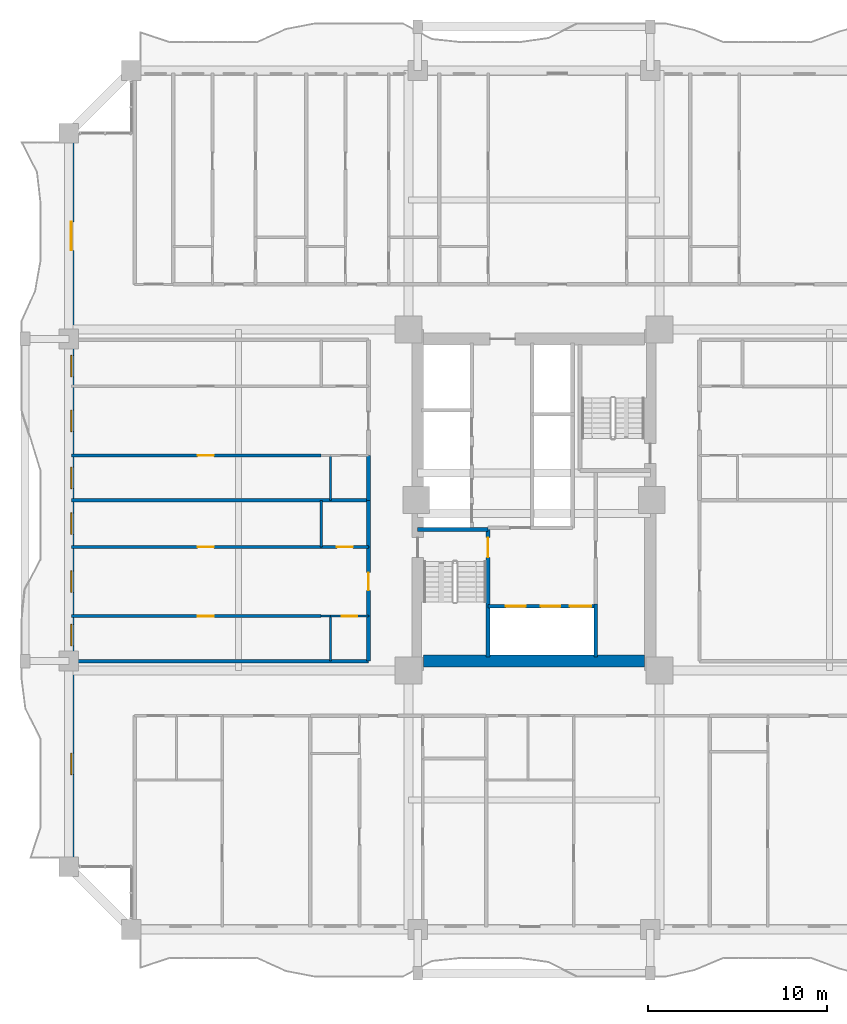
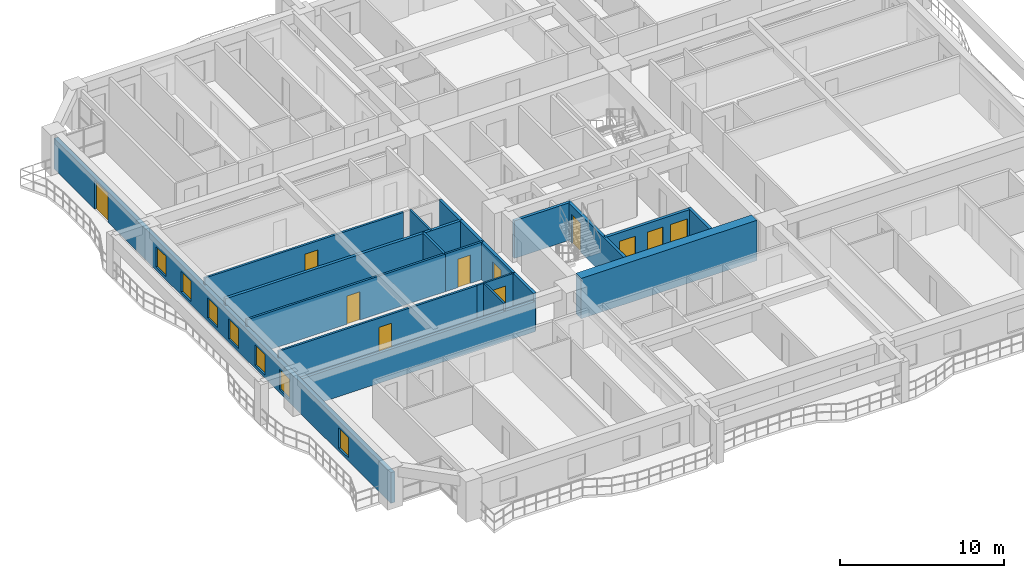
# One storey, part 15 of 27: 21 walls, 11 doors, 7 windows, 18 openings.
"""IFC4 building model written with IfcOpenShell, lengths in metres."""

from ifc_helpers import new_model, si_unit, direction, frame, frame_2d, origin, place, context, subcontext, project, spatial, rectangle, extrude, source, transform, mapped, material, layer, layer_set, type_object, element, fill, save


model = new_model("IFC4")

# Units and contexts
model_context = context("Model", 3, precision=1e-05, world=origin(), true_north=direction((0.0, 1.0)))
body_context = subcontext(model_context, "Body", "Model", "MODEL_VIEW")
ifc_project = project(units=[si_unit("LENGTHUNIT", "METRE"), si_unit("AREAUNIT", "SQUARE_METRE"), si_unit("VOLUMEUNIT", "CUBIC_METRE"), si_unit("PLANEANGLEUNIT", "RADIAN"), si_unit("MASSUNIT", "GRAM", prefix="KILO")], contexts=[model_context])

# Site, building, storey
site_placement = place(None, origin())
site = spatial("IfcSite", under=ifc_project, at=site_placement, CompositionType="ELEMENT")
building_placement = place(site_placement, origin())
building = spatial("IfcBuilding", under=site, at=building_placement, Name="Saelheon Loggia Tower", CompositionType="ELEMENT")
storey_placement = place(building_placement, frame((0.0, 0.0, 52.39990234375)))
storey = spatial("IfcBuildingStorey", under=building, at=storey_placement, Name="L16", CompositionType="ELEMENT", Elevation=52.39990234375)

# Wall
ifc_material_1 = material(Name="Concrete C60/75", Category="concrete")
ifc_layer_1 = layer(ifc_material_1, 0.64990234375)
ifc_layer_set_1 = layer_set([ifc_layer_1], Name="Concrete C60/75")
wall_type_1 = type_object("IfcWallType", Name="Wall_CoreShear_650", PredefinedType="SHEAR", material=ifc_layer_set_1)
wall_1_placement = place(storey_placement, frame((31.824951171875, 18.0, 0.0), z_axis=(0.0, 0.0, 1.0), x_axis=(1.0, 0.0, 0.0)))
element("IfcWall", 1, at=wall_1_placement, inside=storey, type_object=wall_type_1, Name="L16 Core Shear Wall South", PredefinedType="SHEAR", context=body_context, shape_type="SweptSolid", body=[
    extrude(rectangle(XDim=12.35009765625, YDim=0.64990234375, at=frame_2d((6.175048828125, 0.0))), origin(), (0.0, 0.0, 1.0), 3.0),
])

# Wall, openings, windows, door
ifc_material_2 = material(Name="Architectural Precast Concrete C40/50", Category="concrete")
ifc_layer_2 = layer(ifc_material_2, 0.280029296875)
ifc_layer_set_2 = layer_set([ifc_layer_2], Name="Architectural Precast Concrete C40/50")
wall_type_2 = type_object("IfcWallType", Name="Wall_Ext_Loggia_280", PredefinedType="SOLIDWALL", material=ifc_layer_set_2)
wall_2_placement = place(storey_placement, frame((12.139892578125, 6.5, 0.0), z_axis=(0.0, 0.0, 1.0), x_axis=(0.0, 1.0, 0.0)))
wall_2 = element("IfcWall", 2, at=wall_2_placement, inside=storey, type_object=wall_type_2, Name="L16 West Loggia Inner Wall", PredefinedType="SOLIDWALL", context=body_context, shape_type="SweptSolid", body=[
    extrude(rectangle(XDim=41.0, YDim=0.280029296875, at=frame_2d((20.5, 0.0))), origin(), (0.0, 0.0, 1.0), 2.280029296875),
])
opening_1_placement = place(wall_2_placement, frame((5.14990234375, 0.0, 0.25)))
opening_1 = element("IfcOpeningElement", 3, at=opening_1_placement, cuts=wall_2, Name="Opening WN-03", PredefinedType="OPENING", context=body_context, shape_type="SweptSolid", body=[
    extrude(rectangle(XDim=1.199951171875, YDim=1.5, at=frame_2d((0.60009765625, 0.75))), frame((0.0, 0.152099609375, 0.0), z_axis=(0.0, -1.0, 0.0), x_axis=(1.0, 0.0, 0.0)), (0.0, 0.0, 1.0), 0.303955078125),
])
opening_2_placement = place(wall_2_placement, frame((12.3515625, 0.0, 0.25)))
opening_2 = element("IfcOpeningElement", 4, at=opening_2_placement, cuts=wall_2, Name="Opening WN-03", PredefinedType="OPENING", context=body_context, shape_type="SweptSolid", body=[
    extrude(rectangle(XDim=1.199951171875, YDim=1.5, at=frame_2d((0.60009765625, 0.75))), frame((0.0, 0.152099609375, 0.0), z_axis=(0.0, -1.0, 0.0), x_axis=(1.0, 0.0, 0.0)), (0.0, 0.0, 1.0), 0.303955078125),
])
opening_3_placement = place(wall_2_placement, frame((15.343994140625, 0.0, 0.25)))
opening_3 = element("IfcOpeningElement", 5, at=opening_3_placement, cuts=wall_2, Name="Opening WN-03", PredefinedType="OPENING", context=body_context, shape_type="SweptSolid", body=[
    extrude(rectangle(XDim=1.199951171875, YDim=1.5, at=frame_2d((0.60009765625, 0.75))), frame((0.0, 0.152099609375, 0.0), z_axis=(0.0, -1.0, 0.0), x_axis=(1.0, 0.0, 0.0)), (0.0, 0.0, 1.0), 0.303955078125),
])
opening_4_placement = place(wall_2_placement, frame((18.574951171875, 0.0, 0.25)))
opening_4 = element("IfcOpeningElement", 6, at=opening_4_placement, cuts=wall_2, Name="Opening WN-03", PredefinedType="OPENING", context=body_context, shape_type="SweptSolid", body=[
    extrude(rectangle(XDim=1.199951171875, YDim=1.5, at=frame_2d((0.60009765625, 0.75))), frame((0.0, 0.152099609375, 0.0), z_axis=(0.0, -1.0, 0.0), x_axis=(1.0, 0.0, 0.0)), (0.0, 0.0, 1.0), 0.303955078125),
])
opening_5_placement = place(wall_2_placement, frame((21.131591796875, 0.0, 0.25)))
opening_5 = element("IfcOpeningElement", 7, at=opening_5_placement, cuts=wall_2, Name="Opening WN-03", PredefinedType="OPENING", context=body_context, shape_type="SweptSolid", body=[
    extrude(rectangle(XDim=1.199951171875, YDim=1.5, at=frame_2d((0.60009765625, 0.75))), frame((0.0, 0.152099609375, 0.0), z_axis=(0.0, -1.0, 0.0), x_axis=(1.0, 0.0, 0.0)), (0.0, 0.0, 1.0), 0.303955078125),
])
opening_6_placement = place(wall_2_placement, frame((24.319091796875, 0.0, 0.25)))
opening_6 = element("IfcOpeningElement", 8, at=opening_6_placement, cuts=wall_2, Name="Opening WN-03", PredefinedType="OPENING", context=body_context, shape_type="SweptSolid", body=[
    extrude(rectangle(XDim=1.199951171875, YDim=1.5, at=frame_2d((0.60009765625, 0.75))), frame((0.0, 0.152099609375, 0.0), z_axis=(0.0, -1.0, 0.0), x_axis=(1.0, 0.0, 0.0)), (0.0, 0.0, 1.0), 0.303955078125),
])
opening_7_placement = place(wall_2_placement, frame((27.3798828125, 0.0, 0.25)))
opening_7 = element("IfcOpeningElement", 9, at=opening_7_placement, cuts=wall_2, Name="Opening WN-03", PredefinedType="OPENING", context=body_context, shape_type="SweptSolid", body=[
    extrude(rectangle(XDim=1.199951171875, YDim=1.5, at=frame_2d((0.60009765625, 0.75))), frame((0.0, 0.152099609375, 0.0), z_axis=(0.0, -1.0, 0.0), x_axis=(1.0, 0.0, 0.0)), (0.0, 0.0, 1.0), 0.303955078125),
])
opening_8_placement = place(wall_2_placement, frame((34.449951171875, 0.0, 0.0)))
opening_8 = element("IfcOpeningElement", 10, at=opening_8_placement, cuts=wall_2, Name="Opening DLG-1", PredefinedType="OPENING", context=body_context, shape_type="SweptSolid", body=[
    extrude(rectangle(XDim=1.60009765625, YDim=2.14990234375, at=frame_2d((0.800048828125, 1.074951171875))), frame((0.0, 0.152099609375, 0.0), z_axis=(0.0, -1.0, 0.0), x_axis=(1.0, 0.0, 0.0)), (0.0, 0.0, 1.0), 0.303955078125),
])
ifc_material_3 = material(Name="Thermal-Break Aluminium and Triple Low-E Glass", Category="aluminium")
window_type = type_object("IfcWindowType", Name="Win_Bedroom_1200x1500", PartitioningType="SINGLE_PANEL", PredefinedType="WINDOW", material=ifc_material_3)
shared_shape_1 = source(origin(), body_context, "Body", "SweptSolid", [
    extrude(rectangle(XDim=1.199951171875, YDim=1.5, at=frame_2d((0.60009765625, 0.75))), frame((0.0, 0.030029296875, 0.0), z_axis=(0.0, -1.0, 0.0), x_axis=(1.0, 0.0, 0.0)), (0.0, 0.0, 1.0), 0.06005859375),
])
window_1_placement = place(opening_1_placement, origin())
window_1 = element("IfcWindow", 11, at=window_1_placement, inside=storey, type_object=window_type, Name="L16 W Dwelling Window 1", OverallHeight=1.5, OverallWidth=1.199951171875, PartitioningType="SINGLE_PANEL", PredefinedType="WINDOW", context=body_context, shape_type="MappedRepresentation", body=[
    mapped(shared_shape_1, transform((0.0, 0.0, 0.0), scale=1.0)),
])
fill(opening_1, window_1)
window_2_placement = place(opening_2_placement, origin())
window_2 = element("IfcWindow", 12, at=window_2_placement, inside=storey, type_object=window_type, Name="L16 W Dwelling Window 2", OverallHeight=1.5, OverallWidth=1.199951171875, PartitioningType="SINGLE_PANEL", PredefinedType="WINDOW", context=body_context, shape_type="MappedRepresentation", body=[
    mapped(shared_shape_1, transform((0.0, 0.0, 0.0), scale=1.0)),
])
fill(opening_2, window_2)
window_3_placement = place(opening_3_placement, origin())
window_3 = element("IfcWindow", 13, at=window_3_placement, inside=storey, type_object=window_type, Name="L16 W Dwelling Window 3", OverallHeight=1.5, OverallWidth=1.199951171875, PartitioningType="SINGLE_PANEL", PredefinedType="WINDOW", context=body_context, shape_type="MappedRepresentation", body=[
    mapped(shared_shape_1, transform((0.0, 0.0, 0.0), scale=1.0)),
])
fill(opening_3, window_3)
window_4_placement = place(opening_4_placement, origin())
window_4 = element("IfcWindow", 14, at=window_4_placement, inside=storey, type_object=window_type, Name="L16 W Dwelling Window 4", OverallHeight=1.5, OverallWidth=1.199951171875, PartitioningType="SINGLE_PANEL", PredefinedType="WINDOW", context=body_context, shape_type="MappedRepresentation", body=[
    mapped(shared_shape_1, transform((0.0, 0.0, 0.0), scale=1.0)),
])
fill(opening_4, window_4)
window_5_placement = place(opening_5_placement, origin())
window_5 = element("IfcWindow", 15, at=window_5_placement, inside=storey, type_object=window_type, Name="L16 W Dwelling Window 5", OverallHeight=1.5, OverallWidth=1.199951171875, PartitioningType="SINGLE_PANEL", PredefinedType="WINDOW", context=body_context, shape_type="MappedRepresentation", body=[
    mapped(shared_shape_1, transform((0.0, 0.0, 0.0), scale=1.0)),
])
fill(opening_5, window_5)
window_6_placement = place(opening_6_placement, origin())
window_6 = element("IfcWindow", 16, at=window_6_placement, inside=storey, type_object=window_type, Name="L16 W Dwelling Window 6", OverallHeight=1.5, OverallWidth=1.199951171875, PartitioningType="SINGLE_PANEL", PredefinedType="WINDOW", context=body_context, shape_type="MappedRepresentation", body=[
    mapped(shared_shape_1, transform((0.0, 0.0, 0.0), scale=1.0)),
])
fill(opening_6, window_6)
window_7_placement = place(opening_7_placement, origin())
window_7 = element("IfcWindow", 17, at=window_7_placement, inside=storey, type_object=window_type, Name="L16 W Dwelling Window 7", OverallHeight=1.5, OverallWidth=1.199951171875, PartitioningType="SINGLE_PANEL", PredefinedType="WINDOW", context=body_context, shape_type="MappedRepresentation", body=[
    mapped(shared_shape_1, transform((0.0, 0.0, 0.0), scale=1.0)),
])
fill(opening_7, window_7)
ifc_material_4 = material(Name="Thermal-Break Aluminium Sliding Glazed Door", Category="aluminium")
door_type_1 = type_object("IfcDoorType", Name="Door_LoggiaSlide_1600", OperationType="SLIDING_TO_LEFT", PredefinedType="DOOR", material=ifc_material_4)
shared_shape_2 = source(origin(), body_context, "Body", "SweptSolid", [
    extrude(rectangle(XDim=1.60009765625, YDim=2.14990234375, at=frame_2d((0.800048828125, 1.074951171875))), frame((0.0, 0.02490234375, 0.0), z_axis=(0.0, -1.0, 0.0), x_axis=(1.0, 0.0, 0.0)), (0.0, 0.0, 1.0), 0.050048828125),
])
door_1_placement = place(opening_8_placement, origin())
door_1 = element("IfcDoor", 18, at=door_1_placement, inside=storey, type_object=door_type_1, Name="L16 W Loggia Access Door", OperationType="SLIDING_TO_LEFT", OverallHeight=2.14990234375, OverallWidth=1.60009765625, PredefinedType="DOOR", context=body_context, shape_type="MappedRepresentation", body=[
    mapped(shared_shape_2, transform((0.0, 0.0, 0.0), scale=1.0)),
])
fill(opening_8, door_1)

# Wall
ifc_material_5 = material(Name="Lightweight Autoclaved Aerated Concrete Block and Acoustic Gypsum", Category="concrete")
ifc_layer_3 = layer(ifc_material_5, 0.14990234375)
ifc_layer_set_3 = layer_set([ifc_layer_3], Name="Lightweight Autoclaved Aerated Concrete Block and Acoustic Gypsum")
wall_type_3 = type_object("IfcWallType", Name="Wall_Part_150", PredefinedType="PARTITIONING", material=ifc_layer_set_3)
wall_3_placement = place(storey_placement, frame((26.110107421875, 24.375, 0.0), z_axis=(0.0, 0.0, 1.0), x_axis=(0.0, 1.0, 0.0)))
element("IfcWall", 19, at=wall_3_placement, inside=storey, type_object=wall_type_3, Name="L16 W Partition V07", PredefinedType="PARTITIONING", context=body_context, shape_type="SweptSolid", body=[
    extrude(rectangle(XDim=2.60009765625, YDim=0.14990234375, at=frame_2d((1.300048828125, 0.0))), origin(), (0.0, 0.0, 1.0), 2.7900390625),
])

# Wall, opening, door
wall_4_placement = place(storey_placement, frame((26.110107421875, 20.512939453125, 0.0), z_axis=(0.0, 0.0, 1.0), x_axis=(-1.0, 0.0, 0.0)))
wall_4 = element("IfcWall", 20, at=wall_4_placement, inside=storey, type_object=wall_type_3, Name="L16 W Partition U10", PredefinedType="PARTITIONING", context=body_context, shape_type="SweptSolid", body=[
    extrude(rectangle(XDim=13.960205078125, YDim=0.14990234375, at=frame_2d((6.97998046875, 0.0))), origin(), (0.0, 0.0, 1.0), 2.7900390625),
])
opening_9_placement = place(wall_4_placement, frame((6.005859375, 0.0, 0.0)))
opening_9 = element("IfcOpeningElement", 21, at=opening_9_placement, cuts=wall_4, Name="Opening D-IN2", PredefinedType="OPENING", context=body_context, shape_type="SweptSolid", body=[
    extrude(rectangle(XDim=0.89990234375, YDim=2.10009765625, at=frame_2d((0.449951171875, 1.050048828125))), frame((0.0, 0.0869140625, 0.0), z_axis=(0.0, -1.0, 0.0), x_axis=(1.0, 0.0, 0.0)), (0.0, 0.0, 1.0), 0.173828125),
])
ifc_material_6 = material(Name="Engineered Oak Flush Door", Category="timber")
door_type_2 = type_object("IfcDoorType", Name="Door_Int_900", OperationType="NOTDEFINED", PredefinedType="DOOR", material=ifc_material_6)
shared_shape_3 = source(origin(), body_context, "Body", "SweptSolid", [
    extrude(rectangle(XDim=0.89990234375, YDim=2.10009765625, at=frame_2d((0.449951171875, 1.050048828125))), frame((0.0, 0.02490234375, 0.0), z_axis=(0.0, -1.0, 0.0), x_axis=(1.0, 0.0, 0.0)), (0.0, 0.0, 1.0), 0.050048828125),
])
door_2_placement = place(opening_9_placement, origin())
door_2 = element("IfcDoor", 22, at=door_2_placement, inside=storey, type_object=door_type_2, Name="Unit U07 Kitchen Door", OperationType="SINGLE_SWING_RIGHT", OverallHeight=2.10009765625, OverallWidth=0.89990234375, PredefinedType="DOOR", context=body_context, shape_type="MappedRepresentation", body=[
    mapped(shared_shape_3, transform((0.0, 0.0, 0.0), scale=1.0)),
])
fill(opening_9, door_2)

wall_5_placement = place(storey_placement, frame((28.75, 24.375, 0.0), z_axis=(0.0, 0.0, 1.0), x_axis=(-1.0, 0.0, 0.0)))
wall_5 = element("IfcWall", 23, at=wall_5_placement, inside=storey, type_object=wall_type_3, Name="L16 W Partition U11", PredefinedType="PARTITIONING", context=body_context, shape_type="SweptSolid", body=[
    extrude(rectangle(XDim=2.639892578125, YDim=0.14990234375, at=frame_2d((1.31982421875, 0.0))), origin(), (0.0, 0.0, 1.0), 2.7900390625),
])
opening_10_placement = place(wall_5_placement, frame((0.8701171875, 0.0, 0.0)))
opening_10 = element("IfcOpeningElement", 24, at=opening_10_placement, cuts=wall_5, Name="Opening D-IN2", PredefinedType="OPENING", context=body_context, shape_type="SweptSolid", body=[
    extrude(rectangle(XDim=0.89990234375, YDim=2.10009765625, at=frame_2d((0.449951171875, 1.050048828125))), frame((0.0, 0.0869140625, 0.0), z_axis=(0.0, -1.0, 0.0), x_axis=(1.0, 0.0, 0.0)), (0.0, 0.0, 1.0), 0.173828125),
])
door_3_placement = place(opening_10_placement, origin())
door_3 = element("IfcDoor", 25, at=door_3_placement, inside=storey, type_object=door_type_2, Name="Unit U07 Dressing Closet Door", OperationType="SINGLE_SWING_LEFT", OverallHeight=2.10009765625, OverallWidth=0.89990234375, PredefinedType="DOOR", context=body_context, shape_type="MappedRepresentation", body=[
    mapped(shared_shape_3, transform((0.0, 0.0, 0.0), scale=1.0)),
])
fill(opening_10, door_3)

wall_6_placement = place(storey_placement, frame((26.110107421875, 24.375, 0.0), z_axis=(0.0, 0.0, 1.0), x_axis=(-1.0, 0.0, 0.0)))
wall_6 = element("IfcWall", 26, at=wall_6_placement, inside=storey, type_object=wall_type_3, Name="L16 W Partition U12", PredefinedType="PARTITIONING", context=body_context, shape_type="SweptSolid", body=[
    extrude(rectangle(XDim=13.960205078125, YDim=0.14990234375, at=frame_2d((6.97998046875, 0.0))), origin(), (0.0, 0.0, 1.0), 2.7900390625),
])
opening_11_placement = place(wall_6_placement, frame((6.005859375, 0.0, 0.0)))
opening_11 = element("IfcOpeningElement", 27, at=opening_11_placement, cuts=wall_6, Name="Opening D-IN2", PredefinedType="OPENING", context=body_context, shape_type="SweptSolid", body=[
    extrude(rectangle(XDim=0.89990234375, YDim=2.10009765625, at=frame_2d((0.449951171875, 1.050048828125))), frame((0.0, 0.0869140625, 0.0), z_axis=(0.0, -1.0, 0.0), x_axis=(1.0, 0.0, 0.0)), (0.0, 0.0, 1.0), 0.173828125),
])
door_4_placement = place(opening_11_placement, origin())
door_4 = element("IfcDoor", 28, at=door_4_placement, inside=storey, type_object=door_type_2, Name="Unit U07 Bedroom 1 Door", OperationType="SINGLE_SWING_RIGHT", OverallHeight=2.10009765625, OverallWidth=0.89990234375, PredefinedType="DOOR", context=body_context, shape_type="MappedRepresentation", body=[
    mapped(shared_shape_3, transform((0.0, 0.0, 0.0), scale=1.0)),
])
fill(opening_11, door_4)

wall_7_placement = place(storey_placement, frame((26.110107421875, 29.488037109375, 0.0), z_axis=(0.0, 0.0, 1.0), x_axis=(-1.0, 0.0, 0.0)))
wall_7 = element("IfcWall", 29, at=wall_7_placement, inside=storey, type_object=wall_type_3, Name="L16 W Partition U21", PredefinedType="PARTITIONING", context=body_context, shape_type="SweptSolid", body=[
    extrude(rectangle(XDim=13.960205078125, YDim=0.14990234375, at=frame_2d((6.97998046875, 0.0))), origin(), (0.0, 0.0, 1.0), 2.7900390625),
])
opening_12_placement = place(wall_7_placement, frame((6.005859375, 0.0, 0.0)))
opening_12 = element("IfcOpeningElement", 30, at=opening_12_placement, cuts=wall_7, Name="Opening D-IN2", PredefinedType="OPENING", context=body_context, shape_type="SweptSolid", body=[
    extrude(rectangle(XDim=0.89990234375, YDim=2.10009765625, at=frame_2d((0.449951171875, 1.050048828125))), frame((0.0, 0.0869140625, 0.0), z_axis=(0.0, -1.0, 0.0), x_axis=(1.0, 0.0, 0.0)), (0.0, 0.0, 1.0), 0.173828125),
])
door_5_placement = place(opening_12_placement, origin())
door_5 = element("IfcDoor", 31, at=door_5_placement, inside=storey, type_object=door_type_2, Name="Unit U08 Kitchen Door", OperationType="SINGLE_SWING_LEFT", OverallHeight=2.10009765625, OverallWidth=0.89990234375, PredefinedType="DOOR", context=body_context, shape_type="MappedRepresentation", body=[
    mapped(shared_shape_3, transform((0.0, 0.0, 0.0), scale=1.0)),
])
fill(opening_12, door_5)

# Walls
ifc_material_7 = material(Name="Double Acoustic Stud and Fireboard Partition", Category="gypsum")
ifc_layer_4 = layer(ifc_material_7, 0.199951171875)
ifc_layer_set_4 = layer_set([ifc_layer_4], Name="Double Acoustic Stud and Fireboard Partition")
wall_type_4 = type_object("IfcWallType", Name="Wall_Party_200", PredefinedType="PARTITIONING", material=ifc_layer_set_4)
wall_8_placement = place(storey_placement, frame((28.75, 18.0, 0.0), z_axis=(0.0, 0.0, 1.0), x_axis=(-1.0, 0.0, 0.0)))
element("IfcWall", 32, at=wall_8_placement, inside=storey, type_object=wall_type_4, Name="L16 W Partition U01", PredefinedType="PARTITIONING", context=body_context, shape_type="SweptSolid", body=[
    extrude(rectangle(XDim=16.60009765625, YDim=0.199951171875, at=frame_2d((8.300048828125, 0.0))), origin(), (0.0, 0.0, 1.0), 2.239990234375),
])
wall_9_placement = place(storey_placement, frame((28.75, 18.0, 0.0), z_axis=(0.0, 0.0, 1.0), x_axis=(0.0, 1.0, 0.0)))
element("IfcWall", 33, at=wall_9_placement, inside=storey, type_object=wall_type_4, Name="L16 W Partition V03", PredefinedType="PARTITIONING", context=body_context, shape_type="SweptSolid", body=[
    extrude(rectangle(XDim=2.512939453125, YDim=0.199951171875, at=frame_2d((1.25634765625, 0.0))), origin(), (0.0, 0.0, 1.0), 2.7900390625),
])

# Wall, opening, door
wall_10_placement = place(storey_placement, frame((28.75, 20.512939453125, 0.0), z_axis=(0.0, 0.0, 1.0), x_axis=(0.0, 1.0, 0.0)))
wall_10 = element("IfcWall", 34, at=wall_10_placement, inside=storey, type_object=wall_type_4, Name="L16 W Partition V04", PredefinedType="PARTITIONING", context=body_context, shape_type="SweptSolid", body=[
    extrude(rectangle(XDim=3.862060546875, YDim=0.199951171875, at=frame_2d((1.93115234375, 0.0))), origin(), (0.0, 0.0, 1.0), 2.7900390625),
])
opening_13_placement = place(wall_10_placement, frame((1.430908203125, 0.0, 0.0)))
opening_13 = element("IfcOpeningElement", 35, at=opening_13_placement, cuts=wall_10, Name="Opening D-FD1", PredefinedType="OPENING", context=body_context, shape_type="SweptSolid", body=[
    extrude(rectangle(XDim=1.0, YDim=2.14990234375, at=frame_2d((0.5, 1.074951171875))), frame((0.0, 0.112060546875, 0.0), z_axis=(0.0, -1.0, 0.0), x_axis=(1.0, 0.0, 0.0)), (0.0, 0.0, 1.0), 0.223876953125),
])
ifc_material_8 = material(Name="Fire-Rated Engineered Timber Entrance Door", Category="wood")
door_type_3 = type_object("IfcDoorType", Name="Door_Flat_FD30S", OperationType="NOTDEFINED", PredefinedType="DOOR", material=ifc_material_8)
shared_shape_4 = source(origin(), body_context, "Body", "SweptSolid", [
    extrude(rectangle(XDim=1.0, YDim=2.14990234375, at=frame_2d((0.5, 1.074951171875))), frame((0.0, 0.02490234375, 0.0), z_axis=(0.0, -1.0, 0.0), x_axis=(1.0, 0.0, 0.0)), (0.0, 0.0, 1.0), 0.050048828125),
])
door_6_placement = place(opening_13_placement, origin())
door_6 = element("IfcDoor", 36, at=door_6_placement, inside=storey, type_object=door_type_3, Name="Unit U07 Entrance Door", OperationType="SINGLE_SWING_RIGHT", OverallHeight=2.14990234375, OverallWidth=1.0, PredefinedType="DOOR", context=body_context, shape_type="MappedRepresentation", body=[
    mapped(shared_shape_4, transform((0.0, 0.0, 0.0), scale=1.0)),
])
fill(opening_13, door_6)

# Walls
wall_11_placement = place(storey_placement, frame((28.75, 24.375, 0.0), z_axis=(0.0, 0.0, 1.0), x_axis=(0.0, 1.0, 0.0)))
element("IfcWall", 37, at=wall_11_placement, inside=storey, type_object=wall_type_4, Name="L16 W Partition V05", PredefinedType="PARTITIONING", context=body_context, shape_type="SweptSolid", body=[
    extrude(rectangle(XDim=2.60009765625, YDim=0.199951171875, at=frame_2d((1.300048828125, 0.0))), origin(), (0.0, 0.0, 1.0), 2.7900390625),
])
wall_12_placement = place(storey_placement, frame((28.75, 26.97509765625, 0.0), z_axis=(0.0, 0.0, 1.0), x_axis=(-1.0, 0.0, 0.0)))
element("IfcWall", 38, at=wall_12_placement, inside=storey, type_object=wall_type_4, Name="L16 W Partition U13", PredefinedType="PARTITIONING", context=body_context, shape_type="SweptSolid", body=[
    extrude(rectangle(XDim=16.60009765625, YDim=0.199951171875, at=frame_2d((8.300048828125, 0.0))), origin(), (0.0, 0.0, 1.0), 2.7900390625),
])
wall_13_placement = place(storey_placement, frame((28.75, 26.97509765625, 0.0), z_axis=(0.0, 0.0, 1.0), x_axis=(0.0, 1.0, 0.0)))
element("IfcWall", 39, at=wall_13_placement, inside=storey, type_object=wall_type_4, Name="L16 W Partition V14", PredefinedType="PARTITIONING", context=body_context, shape_type="SweptSolid", body=[
    extrude(rectangle(XDim=2.512939453125, YDim=0.199951171875, at=frame_2d((1.25634765625, 0.0))), origin(), (0.0, 0.0, 1.0), 2.7900390625),
])
ifc_material_9 = material(Name="Concrete C40/50", Category="concrete")
ifc_layer_5 = layer(ifc_material_9, 0.199951171875)
ifc_layer_set_5 = layer_set([ifc_layer_5], Name="Concrete C40/50")
wall_type_5 = type_object("IfcWallType", Name="Wall_Shaft_200", PredefinedType="PARTITIONING", material=ifc_layer_set_5)
wall_14_placement = place(storey_placement, frame((41.449951171875, 18.219970703125, 0.0), z_axis=(0.0, 0.0, 1.0), x_axis=(0.0, 1.0, 0.0)))
element("IfcWall", 40, at=wall_14_placement, inside=storey, type_object=wall_type_5, Name="CW-INT-L16-BOH-W0", PredefinedType="PARTITIONING", context=body_context, shape_type="SweptSolid", body=[
    extrude(rectangle(XDim=2.9599609375, YDim=0.199951171875, at=frame_2d((1.47998046875, 0.0))), origin(), (0.0, 0.0, 1.0), 2.7900390625),
])

# Wall, openings, doors
wall_15_placement = place(storey_placement, frame((35.429931640625, 21.06005859375, 0.0), z_axis=(0.0, 0.0, 1.0), x_axis=(1.0, 0.0, 0.0)))
wall_15 = element("IfcWall", 41, at=wall_15_placement, inside=storey, type_object=wall_type_5, Name="L16 Firefighting Lift Shaft Front Wall", PredefinedType="PARTITIONING", context=body_context, shape_type="SweptSolid", body=[
    extrude(rectangle(XDim=6.02001953125, YDim=0.199951171875, at=frame_2d((3.010009765625, 0.0))), origin(), (0.0, 0.0, 1.0), 2.7900390625),
])
opening_14_placement = place(wall_15_placement, frame((1.0, 0.0, 0.0)))
opening_14 = element("IfcOpeningElement", 42, at=opening_14_placement, cuts=wall_15, Name="Opening LD2", PredefinedType="OPENING", context=body_context, shape_type="SweptSolid", body=[
    extrude(rectangle(XDim=1.10009765625, YDim=2.14990234375, at=frame_2d((0.550048828125, 1.074951171875))), frame((0.0, 0.112060546875, 0.0), z_axis=(0.0, -1.0, 0.0), x_axis=(1.0, 0.0, 0.0)), (0.0, 0.0, 1.0), 0.223876953125),
])
opening_15_placement = place(wall_15_placement, frame((2.949951171875, 0.0, 0.0)))
opening_15 = element("IfcOpeningElement", 43, at=opening_15_placement, cuts=wall_15, Name="Opening LD2", PredefinedType="OPENING", context=body_context, shape_type="SweptSolid", body=[
    extrude(rectangle(XDim=1.10009765625, YDim=2.14990234375, at=frame_2d((0.550048828125, 1.074951171875))), frame((0.0, 0.112060546875, 0.0), z_axis=(0.0, -1.0, 0.0), x_axis=(1.0, 0.0, 0.0)), (0.0, 0.0, 1.0), 0.223876953125),
])
opening_16_placement = place(wall_15_placement, frame((4.580078125, 0.0, 0.0)))
opening_16 = element("IfcOpeningElement", 44, at=opening_16_placement, cuts=wall_15, Name="Opening LD3", PredefinedType="OPENING", context=body_context, shape_type="SweptSolid", body=[
    extrude(rectangle(XDim=1.199951171875, YDim=2.14990234375, at=frame_2d((0.60009765625, 1.074951171875))), frame((0.0, 0.112060546875, 0.0), z_axis=(0.0, -1.0, 0.0), x_axis=(1.0, 0.0, 0.0)), (0.0, 0.0, 1.0), 0.223876953125),
])
ifc_material_10 = material(Name="Firefighting Stainless Steel 316 Landing Door", Category="steel")
door_type_4 = type_object("IfcDoorType", Name="Door_Lift_LD2", OperationType="DOUBLE_DOOR_SLIDING", PredefinedType="DOOR", material=ifc_material_10)
shared_shape_5 = source(origin(), body_context, "Body", "SweptSolid", [
    extrude(rectangle(XDim=1.10009765625, YDim=2.14990234375, at=frame_2d((0.550048828125, 1.074951171875))), frame((0.0, 0.02490234375, 0.0), z_axis=(0.0, -1.0, 0.0), x_axis=(1.0, 0.0, 0.0)), (0.0, 0.0, 1.0), 0.050048828125),
])
door_7_placement = place(opening_14_placement, origin())
door_7 = element("IfcDoor", 45, at=door_7_placement, inside=storey, type_object=door_type_4, Name="L16 FF1 Landing Door", OperationType="DOUBLE_DOOR_SLIDING", OverallHeight=2.14990234375, OverallWidth=1.10009765625, PredefinedType="DOOR", context=body_context, shape_type="MappedRepresentation", body=[
    mapped(shared_shape_5, transform((0.0, 0.0, 0.0), scale=1.0)),
])
fill(opening_14, door_7)
door_8_placement = place(opening_15_placement, origin())
door_8 = element("IfcDoor", 46, at=door_8_placement, inside=storey, type_object=door_type_4, Name="L16 FF2 Landing Door", OperationType="DOUBLE_DOOR_SLIDING", OverallHeight=2.14990234375, OverallWidth=1.10009765625, PredefinedType="DOOR", context=body_context, shape_type="MappedRepresentation", body=[
    mapped(shared_shape_5, transform((0.0, 0.0, 0.0), scale=1.0)),
])
fill(opening_15, door_8)
ifc_material_11 = material(Name="Stretcher Lift Stainless Steel 304 Landing Door", Category="steel")
door_type_5 = type_object("IfcDoorType", Name="Door_Lift_LD3", OperationType="DOUBLE_DOOR_SLIDING", PredefinedType="DOOR", material=ifc_material_11)
shared_shape_6 = source(origin(), body_context, "Body", "SweptSolid", [
    extrude(rectangle(XDim=1.199951171875, YDim=2.14990234375, at=frame_2d((0.60009765625, 1.074951171875))), frame((0.0, 0.02490234375, 0.0), z_axis=(0.0, -1.0, 0.0), x_axis=(1.0, 0.0, 0.0)), (0.0, 0.0, 1.0), 0.050048828125),
])
door_9_placement = place(opening_16_placement, origin())
door_9 = element("IfcDoor", 47, at=door_9_placement, inside=storey, type_object=door_type_5, Name="L16 SV1 Landing Door", OperationType="DOUBLE_DOOR_SLIDING", OverallHeight=2.14990234375, OverallWidth=1.199951171875, PredefinedType="DOOR", context=body_context, shape_type="MappedRepresentation", body=[
    mapped(shared_shape_6, transform((0.0, 0.0, 0.0), scale=1.0)),
])
fill(opening_16, door_9)

# Wall, opening, door
ifc_material_12 = material(Name="Concrete C45/55", Category="concrete")
ifc_layer_6 = layer(ifc_material_12, 0.199951171875)
ifc_layer_set_6 = layer_set([ifc_layer_6], Name="Concrete C45/55")
wall_type_6 = type_object("IfcWallType", Name="Wall_StairShaft_RC200", PredefinedType="SOLIDWALL", material=ifc_layer_set_6)
wall_16_placement = place(storey_placement, frame((35.429931640625, 18.219970703125, 0.0), z_axis=(0.0, 0.0, 1.0), x_axis=(0.0, 1.0, 0.0)))
wall_16 = element("IfcWall", 48, at=wall_16_placement, inside=storey, type_object=wall_type_6, Name="L16 Stair ST1 Shaft Wall", PredefinedType="SOLIDWALL", context=body_context, shape_type="SweptSolid", body=[
    extrude(rectangle(XDim=7.219970703125, YDim=0.199951171875, at=frame_2d((3.60986328125, 0.0))), origin(), (0.0, 0.0, 1.0), 2.7900390625),
])
opening_17_placement = place(wall_16_placement, frame((6.68017578125, 0.0, 0.0), z_axis=(0.0, 0.0, 1.0), x_axis=(-1.0, 0.0, 0.0)))
opening_17 = element("IfcOpeningElement", 49, at=opening_17_placement, cuts=wall_16, Name="Opening D-FD2", PredefinedType="OPENING", context=body_context, shape_type="SweptSolid", body=[
    extrude(rectangle(XDim=1.10009765625, YDim=2.14990234375, at=frame_2d((0.550048828125, 1.074951171875))), frame((0.0, 0.112060546875, 0.0), z_axis=(0.0, -1.0, 0.0), x_axis=(1.0, 0.0, 0.0)), (0.0, 0.0, 1.0), 0.223876953125),
])
ifc_material_13 = material(Name="Galvanised Steel Fire Door", Category="steel")
door_type_6 = type_object("IfcDoorType", Name="Door_Fire_FD60_1100", OperationType="NOTDEFINED", PredefinedType="DOOR", material=ifc_material_13)
door_10_placement = place(opening_17_placement, origin())
door_10 = element("IfcDoor", 50, at=door_10_placement, inside=storey, type_object=door_type_6, Name="L16 Stair ST1 Lobby Door", OperationType="SINGLE_SWING_RIGHT", OverallHeight=2.14990234375, OverallWidth=1.10009765625, PredefinedType="DOOR", context=body_context, shape_type="MappedRepresentation", body=[
    mapped(shared_shape_5, transform((0.0, 0.0, 0.0), scale=1.0)),
])
fill(opening_17, door_10)

# Walls
wall_17_placement = place(storey_placement, frame((31.5, 25.35009765625, 0.0), z_axis=(0.0, 0.0, 1.0), x_axis=(1.0, 0.0, 0.0)))
element("IfcWall", 51, at=wall_17_placement, inside=storey, type_object=wall_type_6, Name="L16 Stair ST1 North Wall", PredefinedType="SOLIDWALL", context=body_context, shape_type="SweptSolid", body=[
    extrude(rectangle(XDim=3.929931640625, YDim=0.199951171875, at=frame_2d((1.96484375, 0.0))), origin(), (0.0, 0.0, 1.0), 2.7900390625),
])
ifc_material_14 = material(Name="Moisture-Resistant Cement Board Partition", Category="gypsum")
ifc_layer_7 = layer(ifc_material_14, 0.1201171875)
ifc_layer_set_7 = layer_set([ifc_layer_7], Name="Moisture-Resistant Cement Board Partition")
wall_type_7 = type_object("IfcWallType", Name="Wall_WetPart_120", PredefinedType="PARTITIONING", material=ifc_layer_set_7)
wall_18_placement = place(storey_placement, frame((26.6298828125, 18.0, 0.0), z_axis=(0.0, 0.0, 1.0), x_axis=(0.0, 1.0, 0.0)))
element("IfcWall", 52, at=wall_18_placement, inside=storey, type_object=wall_type_7, Name="L16 W Partition V06", PredefinedType="PARTITIONING", context=body_context, shape_type="SweptSolid", body=[
    extrude(rectangle(XDim=2.512939453125, YDim=0.1201171875, at=frame_2d((1.25634765625, 0.0))), origin(), (0.0, 0.0, 1.0), 2.7900390625),
])

# Wall, opening, door
wall_19_placement = place(storey_placement, frame((28.75, 20.512939453125, 0.0), z_axis=(0.0, 0.0, 1.0), x_axis=(-1.0, 0.0, 0.0)))
wall_19 = element("IfcWall", 53, at=wall_19_placement, inside=storey, type_object=wall_type_7, Name="L16 W Partition U08", PredefinedType="PARTITIONING", context=body_context, shape_type="SweptSolid", body=[
    extrude(rectangle(XDim=2.1201171875, YDim=0.1201171875, at=frame_2d((1.06005859375, 0.0))), origin(), (0.0, 0.0, 1.0), 2.7900390625),
])
opening_18_placement = place(wall_19_placement, frame((0.635009765625, 0.0, 0.0)))
opening_18 = element("IfcOpeningElement", 54, at=opening_18_placement, cuts=wall_19, Name="Opening D-BT1", PredefinedType="OPENING", context=body_context, shape_type="SweptSolid", body=[
    extrude(rectangle(XDim=0.85009765625, YDim=2.050048828125, at=frame_2d((0.425048828125, 1.02490234375))), frame((0.0, 0.072021484375, 0.0), z_axis=(0.0, -1.0, 0.0), x_axis=(1.0, 0.0, 0.0)), (0.0, 0.0, 1.0), 0.14404296875),
])
ifc_material_15 = material(Name="Moisture-Resistant Laminate Timber Door", Category="wood")
door_type_7 = type_object("IfcDoorType", Name="Door_Bath_850", OperationType="NOTDEFINED", PredefinedType="DOOR", material=ifc_material_15)
shared_shape_7 = source(origin(), body_context, "Body", "SweptSolid", [
    extrude(rectangle(XDim=0.85009765625, YDim=2.050048828125, at=frame_2d((0.425048828125, 1.02490234375))), frame((0.0, 0.02490234375, 0.0), z_axis=(0.0, -1.0, 0.0), x_axis=(1.0, 0.0, 0.0)), (0.0, 0.0, 1.0), 0.050048828125),
])
door_11_placement = place(opening_18_placement, origin())
door_11 = element("IfcDoor", 55, at=door_11_placement, inside=storey, type_object=door_type_7, Name="Unit U07 Bathroom Door", OperationType="SINGLE_SWING_LEFT", OverallHeight=2.050048828125, OverallWidth=0.85009765625, PredefinedType="DOOR", context=body_context, shape_type="MappedRepresentation", body=[
    mapped(shared_shape_7, transform((0.0, 0.0, 0.0), scale=1.0)),
])
fill(opening_18, door_11)

# Walls
wall_20_placement = place(storey_placement, frame((26.6298828125, 20.512939453125, 0.0), z_axis=(0.0, 0.0, 1.0), x_axis=(-1.0, 0.0, 0.0)))
element("IfcWall", 56, at=wall_20_placement, inside=storey, type_object=wall_type_7, Name="L16 W Partition U09", PredefinedType="PARTITIONING", context=body_context, shape_type="SweptSolid", body=[
    extrude(rectangle(XDim=0.519775390625, YDim=0.1201171875, at=frame_2d((0.259765625, 0.0))), origin(), (0.0, 0.0, 1.0), 2.7900390625),
])
wall_21_placement = place(storey_placement, frame((26.6298828125, 26.97509765625, 0.0), z_axis=(0.0, 0.0, 1.0), x_axis=(0.0, 1.0, 0.0)))
element("IfcWall", 57, at=wall_21_placement, inside=storey, type_object=wall_type_7, Name="L16 W Partition V17", PredefinedType="PARTITIONING", context=body_context, shape_type="SweptSolid", body=[
    extrude(rectangle(XDim=2.512939453125, YDim=0.1201171875, at=frame_2d((1.25634765625, 0.0))), origin(), (0.0, 0.0, 1.0), 2.7900390625),
])

save(model, "model.ifc")
